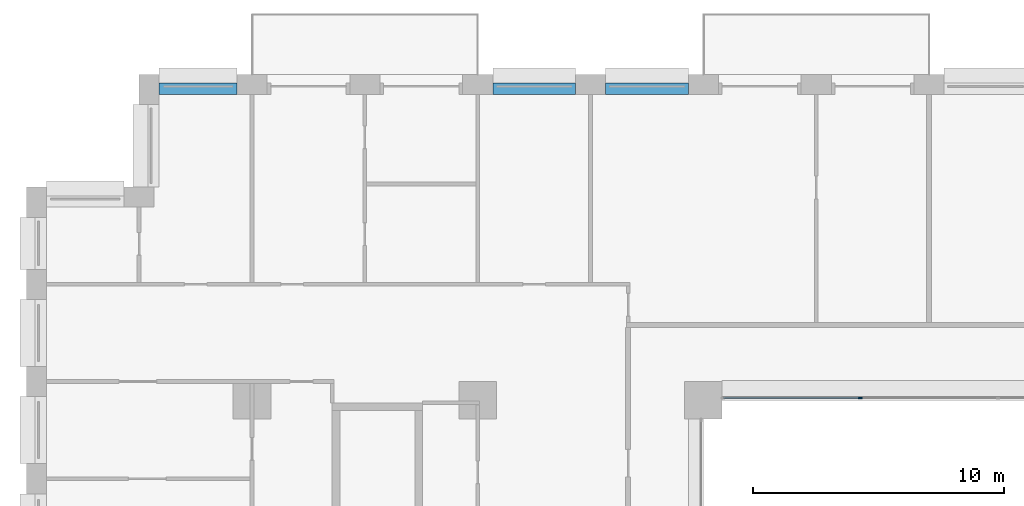
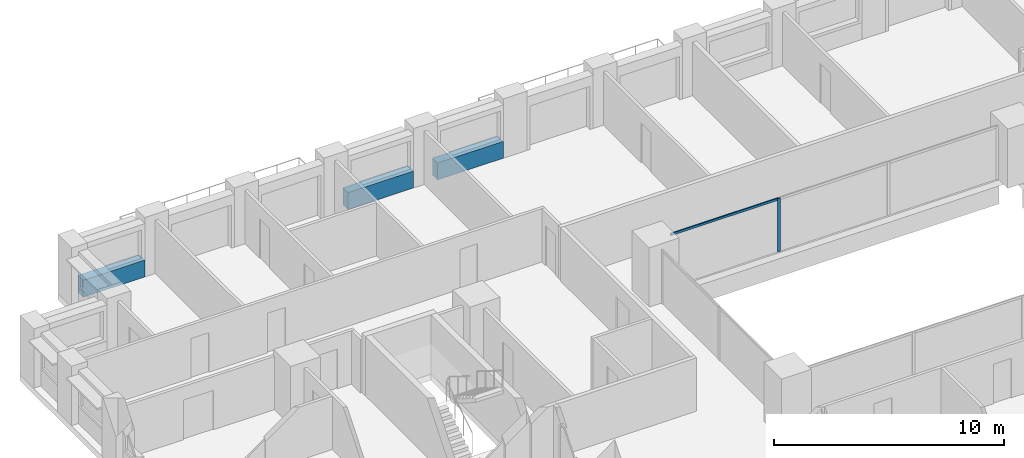
# One storey, part 6 of 19: 3 beams, 2 members, 1 element without a shape of its own.
"""IFC4 building model written with IfcOpenShell, lengths in metres."""

from ifc_helpers import new_model, si_unit, direction, frame, origin, origin_2d, place, context, subcontext, project, spatial, rectangle, extrude, material, layer, layer_set, material_profile, profile_set, type_object, element, aggregate, save


model = new_model("IFC4")

# Units and contexts
model_context = context("Model", 3, precision=1e-05, world=origin(), true_north=direction((0.0, 1.0)))
body_context = subcontext(model_context, "Body", "Model", "MODEL_VIEW")
ifc_project = project(units=[si_unit("LENGTHUNIT", "METRE"), si_unit("AREAUNIT", "SQUARE_METRE"), si_unit("VOLUMEUNIT", "CUBIC_METRE"), si_unit("PLANEANGLEUNIT", "RADIAN"), si_unit("MASSUNIT", "GRAM", prefix="KILO")], contexts=[model_context])

# Site, building, storey
site_placement = place(None, origin())
site = spatial("IfcSite", under=ifc_project, at=site_placement, CompositionType="ELEMENT")
building_placement = place(site_placement, origin())
building = spatial("IfcBuilding", under=site, at=building_placement, Name="Brigalow Station Residences", CompositionType="ELEMENT")
storey_placement = place(building_placement, frame((0.0, 0.0, 25.800048828125)))
storey = spatial("IfcBuildingStorey", under=building, at=storey_placement, Name="L06", CompositionType="ELEMENT", Elevation=25.800048828125)

# Curtain wall, members
ifc_material_1 = material(Name="Aluminium", Category="aluminium")
ifc_layer = layer(ifc_material_1, 0.14990234375)
ifc_layer_set = layer_set([ifc_layer], Name="ATRIUM FIRE-RATED GLAZING CURTAIN WALL")
curtain_wall_type = type_object("IfcCurtainWallType", Name="ATRIUM FIRE-RATED GLAZING CURTAIN WALL", PredefinedType="NOTDEFINED", material=ifc_layer_set)
curtain_wall_placement = place(storey_placement, origin())
curtain_wall = element("IfcCurtainWall", 1, at=curtain_wall_placement, inside=storey, type_object=curtain_wall_type, Name="L06/cw/atrium-N", PredefinedType="NOTDEFINED")
ifc_material_2 = material(Name="Aluminium", Category="aluminium")
ifc_material_profile_1 = material_profile(ifc_material_2, rectangle(XDim=0.06005859375, YDim=0.14990234375, at=origin_2d()), Name="ATRIUM FIRE-RATED GLAZING MULLION 60x150")
ifc_profile_set_1 = profile_set([ifc_material_profile_1], Name="Aluminium")
member_type_1 = type_object("IfcMemberType", Name="ATRIUM FIRE-RATED GLAZING MULLION 60x150", PredefinedType="MULLION", material=ifc_profile_set_1)
member_1_placement = place(storey_placement, frame((33.25, 35.60009765625, 0.0), z_axis=(0.0, 0.0, 1.0), x_axis=(0.0, -1.0, 0.0)))
member_1 = element("IfcMember", 2, at=member_1_placement, type_object=member_type_1, Name="L06/cw/atrium-N/M02", PredefinedType="MULLION", context=body_context, shape_type="SweptSolid", body=[
    extrude(rectangle(XDim=0.06005859375, YDim=0.14990234375, at=origin_2d()), origin(), (0.0, 0.0, 1.0), 2.829833984375),
])
ifc_material_3 = material(Name="Aluminium", Category="aluminium")
ifc_material_profile_2 = material_profile(ifc_material_3, rectangle(XDim=0.06005859375, YDim=0.1201171875, at=origin_2d()), Name="ATRIUM FIRE-RATED GLAZING TRANSOM 60x120")
ifc_profile_set_2 = profile_set([ifc_material_profile_2], Name="Aluminium")
member_type_2 = type_object("IfcMemberType", Name="ATRIUM FIRE-RATED GLAZING TRANSOM 60x120", PredefinedType="USERDEFINED", material=ifc_profile_set_2)
member_2_placement = place(storey_placement, frame((33.219970703125, 35.60009765625, 2.800048828125), z_axis=(-1.0, 0.0, 0.0), x_axis=(0.0, -1.0, 0.0)))
member_2 = element("IfcMember", 3, at=member_2_placement, type_object=member_type_2, Name="L06/cw/atrium-N/T02-00", ObjectType="TRANSOM", PredefinedType="USERDEFINED", context=body_context, shape_type="SweptSolid", body=[
    extrude(rectangle(XDim=0.06005859375, YDim=0.1201171875, at=origin_2d()), origin(), (0.0, 0.0, 1.0), 5.409912109375),
])
aggregate(curtain_wall, [member_1, member_2])

# Beams
ifc_material_4 = material(Name="Concrete C65", Category="concrete")
ifc_material_profile_3 = material_profile(ifc_material_4, rectangle(XDim=0.449951171875, YDim=0.89990234375, at=origin_2d()), Name="RC450x900")
ifc_profile_set_3 = profile_set([ifc_material_profile_3], Name="Concrete C65")
beam_type = type_object("IfcBeamType", Name="SPANDREL BEAM 450x900 C65", PredefinedType="SPANDREL", material=ifc_profile_set_3)
for number, where, z_axis, x_axis, name in (
    (4, (26.39990234375, 47.925048828125, 0.449951171875), (-1.0, 0.0, 0.0), (0.0, -1.0, 0.0), "L06/spandrel/W-L06-35"),
    (5, (21.89990234375, 47.925048828125, 0.449951171875), (-1.0, 0.0, 0.0), (0.0, -1.0, 0.0), "L06/spandrel/W-L06-36"),
):
    element("IfcBeam", number, at=place(storey_placement, frame(where, z_axis=z_axis, x_axis=x_axis)), inside=storey, type_object=beam_type, Name=name, PredefinedType="SPANDREL", context=body_context, shape_type="SweptSolid", body=[
        extrude(rectangle(XDim=0.449951171875, YDim=0.89990234375, at=origin_2d()), origin(), (0.0, 0.0, 1.0), 3.2998046875),
    ])
beam_placement = place(storey_placement, frame((8.39990234375, 47.925048828125, 0.449951171875), z_axis=(-1.0, 0.0, 0.0), x_axis=(0.0, -1.0, 0.0)))
element("IfcBeam", 6, at=beam_placement, inside=storey, type_object=beam_type, Name="L06/spandrel/W-L06-39", PredefinedType="SPANDREL", context=body_context, shape_type="SweptSolid", body=[
    extrude(rectangle(XDim=0.449951171875, YDim=0.89990234375, at=origin_2d()), origin(), (0.0, 0.0, 1.0), 3.099853515625),
])

save(model, "model.ifc")
